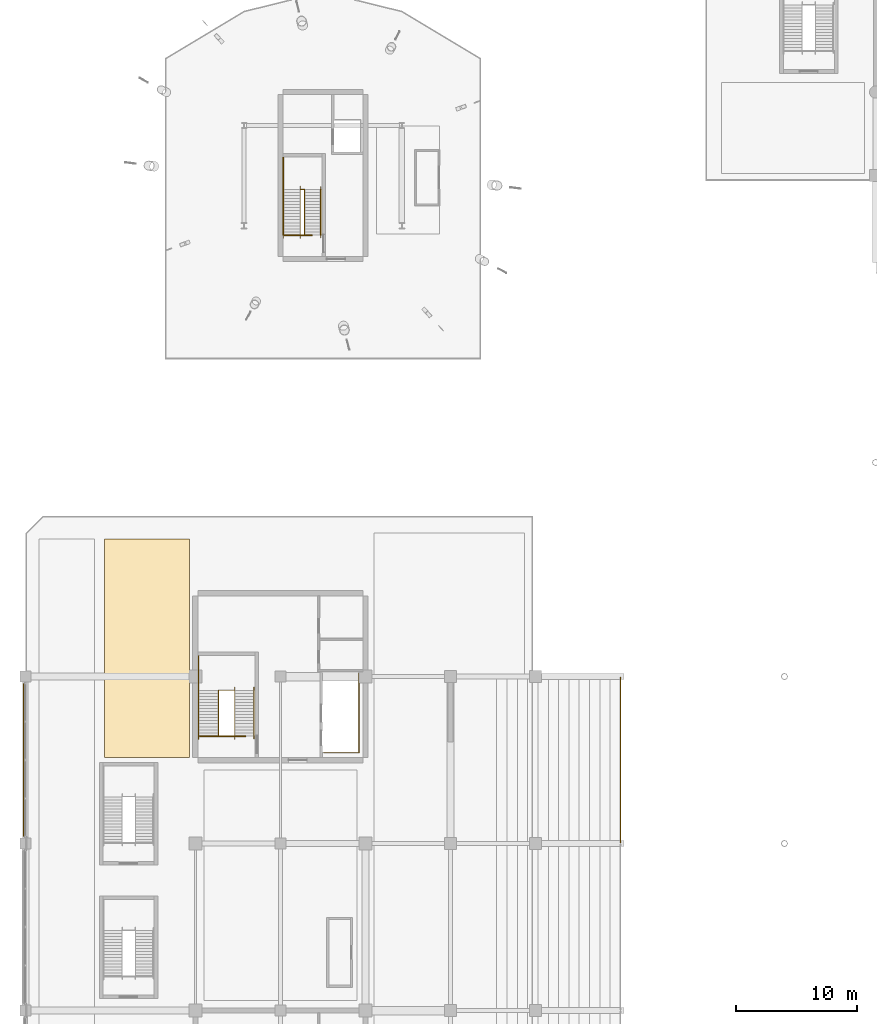
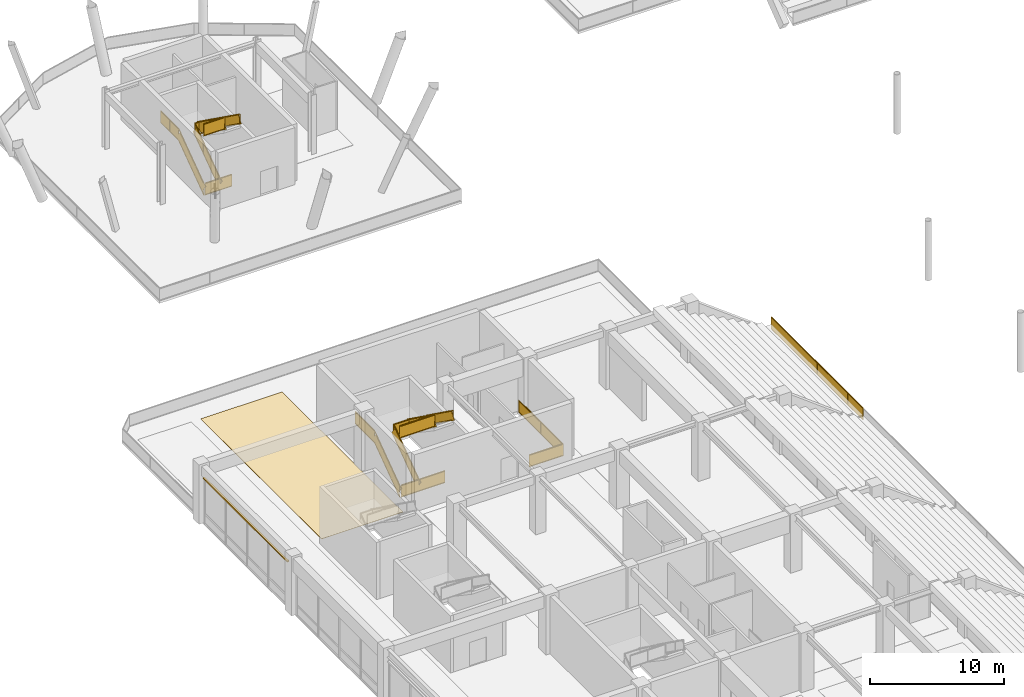
# One storey, part 113 of 117: 10 railings, 1 covering, 1 shading device.
"""IFC4 building model written with IfcOpenShell, lengths in metres."""

from ifc_helpers import new_model, si_unit, direction, frame, origin, origin_2d, place, context, subcontext, project, spatial, polyline, rectangle, outline, extrude, material, layer, layer_set, type_object, element, save


model = new_model("IFC4")

# Units and contexts
model_context = context("Model", 3, precision=1e-05, world=origin(), true_north=direction((0.0, 1.0)))
body_context = subcontext(model_context, "Body", "Model", "MODEL_VIEW")
ifc_project = project(units=[si_unit("LENGTHUNIT", "METRE"), si_unit("AREAUNIT", "SQUARE_METRE"), si_unit("VOLUMEUNIT", "CUBIC_METRE"), si_unit("PLANEANGLEUNIT", "RADIAN"), si_unit("MASSUNIT", "GRAM", prefix="KILO")], contexts=[model_context])

# Site, building, storey
site_placement = place(None, origin())
site = spatial("IfcSite", under=ifc_project, at=site_placement, CompositionType="ELEMENT")
building_placement = place(site_placement, origin())
building = spatial("IfcBuilding", under=site, at=building_placement, Name="Linyun Crest Stadium", CompositionType="ELEMENT")
storey_placement = place(building_placement, frame((0.0, 0.0, 6.0)))
storey = spatial("IfcBuildingStorey", under=building, at=storey_placement, Name="L02", CompositionType="ELEMENT", Elevation=6.0)

# Covering
ifc_material_1 = material(Name="Terrazzo concourse and hospitality floor finish")
ifc_layer_1 = layer(ifc_material_1, 0.02197265625)
ifc_layer_set_1 = layer_set([ifc_layer_1], Name="Terrazzo concourse and hospitality floor finish")
covering_type = type_object("IfcCoveringType", Name="FLR02", PredefinedType="FLOORING", material=ifc_layer_set_1)
covering_placement = place(storey_placement, origin())
element("IfcCovering", 1, at=covering_placement, inside=storey, type_object=covering_type, Name="Terrazzo flooring FLR02 61", PredefinedType="FLOORING", context=body_context, shape_type="SweptSolid", body=[
    extrude(outline(polyline([(-91.5, 36.699951171875), (-84.5, 36.699951171875), (-84.5, 54.699951171875), (-91.5, 54.699951171875), (-91.5, 36.699951171875)])), origin(), (0.0, 0.0, 1.0), 0.02197265625),
])

# Railings
ifc_material_2 = material(Name="Galvanized and powder-coated steel bowl safety barrier", Category="steel")
railing_type_1 = type_object("IfcRailingType", Name="GR02", PredefinedType="GUARDRAIL", material=ifc_material_2)
railing_1_placement = place(storey_placement, frame((-49.0, 29.705078125, 0.199951171875)))
element("IfcRailing", 2, at=railing_1_placement, inside=storey, type_object=railing_type_1, Name="Bowl front safety guard GR02 50", PredefinedType="GUARDRAIL", context=body_context, shape_type="SweptSolid", body=[
    extrude(rectangle(XDim=0.06005859375, YDim=0.06005859375, at=origin_2d()), frame((0.0, 0.0, 1.090087890625), z_axis=(0.0, 1.0, 0.0), x_axis=(-1.0, 0.0, 0.0)), (0.0, 0.0, 1.0), 13.58984375),
    extrude(rectangle(XDim=0.030029296875, YDim=1.0, at=origin_2d()), frame((0.0, 0.0, 0.56005859375), z_axis=(0.0, 1.0, 0.0), x_axis=(-1.0, 0.0, 0.0)), (0.0, 0.0, 1.0), 13.58984375),
    extrude(rectangle(XDim=0.06005859375, YDim=0.06005859375, at=origin_2d()), frame((0.0, 0.0, 0.030029296875), z_axis=(0.0, 1.0, 0.0), x_axis=(-1.0, 0.0, 0.0)), (0.0, 0.0, 1.0), 13.58984375),
    extrude(rectangle(XDim=0.050048828125, YDim=0.050048828125, at=origin_2d()), origin(), (0.0, 0.0, 1.0), 1.1201171875),
    extrude(rectangle(XDim=0.050048828125, YDim=0.050048828125, at=origin_2d()), frame((0.0, 2.264892578125, 0.0)), (0.0, 0.0, 1.0), 1.1201171875),
    extrude(rectangle(XDim=0.050048828125, YDim=0.050048828125, at=origin_2d()), frame((0.0, 4.530029296875, 0.0)), (0.0, 0.0, 1.0), 1.1201171875),
    extrude(rectangle(XDim=0.050048828125, YDim=0.050048828125, at=origin_2d()), frame((0.0, 6.794921875, 0.0)), (0.0, 0.0, 1.0), 1.1201171875),
    extrude(rectangle(XDim=0.050048828125, YDim=0.050048828125, at=origin_2d()), frame((0.0, 9.059814453125, 0.0)), (0.0, 0.0, 1.0), 1.1201171875),
    extrude(rectangle(XDim=0.050048828125, YDim=0.050048828125, at=origin_2d()), frame((0.0, 11.324951171875, 0.0)), (0.0, 0.0, 1.0), 1.1201171875),
    extrude(rectangle(XDim=0.050048828125, YDim=0.050048828125, at=origin_2d()), frame((0.0, 13.58984375, 0.0)), (0.0, 0.0, 1.0), 1.1201171875),
])
railing_2_placement = place(storey_placement, frame((-73.419921875, 37.090087890625, 0.0)))
element("IfcRailing", 3, at=railing_2_placement, inside=storey, type_object=railing_type_1, Name="Slab edge balustrade GR02 32", PredefinedType="GUARDRAIL", context=body_context, shape_type="SweptSolid", body=[
    extrude(rectangle(XDim=0.06005859375, YDim=0.06005859375, at=origin_2d()), frame((0.0, 0.0, 1.090087890625), z_axis=(1.0, 0.0, 0.0), x_axis=(0.0, 1.0, 0.0)), (0.0, 0.0, 1.0), 2.8798828125),
    extrude(rectangle(XDim=0.030029296875, YDim=1.0, at=origin_2d()), frame((0.0, 0.0, 0.56005859375), z_axis=(1.0, 0.0, 0.0), x_axis=(0.0, 1.0, 0.0)), (0.0, 0.0, 1.0), 2.8798828125),
    extrude(rectangle(XDim=0.06005859375, YDim=0.06005859375, at=origin_2d()), frame((0.0, 0.0, 0.030029296875), z_axis=(1.0, 0.0, 0.0), x_axis=(0.0, 1.0, 0.0)), (0.0, 0.0, 1.0), 2.8798828125),
    extrude(rectangle(XDim=0.06005859375, YDim=0.06005859375, at=origin_2d()), frame((2.8798828125, 0.0, 1.090087890625), z_axis=(0.0, 1.0, 0.0), x_axis=(-1.0, 0.0, 0.0)), (0.0, 0.0, 1.0), 6.5498046875),
    extrude(rectangle(XDim=0.030029296875, YDim=1.0, at=origin_2d()), frame((2.8798828125, 0.0, 0.56005859375), z_axis=(0.0, 1.0, 0.0), x_axis=(-1.0, 0.0, 0.0)), (0.0, 0.0, 1.0), 6.5498046875),
    extrude(rectangle(XDim=0.06005859375, YDim=0.06005859375, at=origin_2d()), frame((2.8798828125, 0.0, 0.030029296875), z_axis=(0.0, 1.0, 0.0), x_axis=(-1.0, 0.0, 0.0)), (0.0, 0.0, 1.0), 6.5498046875),
    extrude(rectangle(XDim=0.050048828125, YDim=0.050048828125, at=origin_2d()), origin(), (0.0, 0.0, 1.0), 1.1201171875),
    extrude(rectangle(XDim=0.050048828125, YDim=0.050048828125, at=origin_2d()), frame((2.8798828125, 0.0, 0.0)), (0.0, 0.0, 1.0), 1.1201171875),
    extrude(rectangle(XDim=0.050048828125, YDim=0.050048828125, at=origin_2d()), frame((2.8798828125, 3.27490234375, 0.0)), (0.0, 0.0, 1.0), 1.1201171875),
    extrude(rectangle(XDim=0.050048828125, YDim=0.050048828125, at=origin_2d()), frame((2.8798828125, 6.5498046875, 0.0)), (0.0, 0.0, 1.0), 1.1201171875),
])
railing_3_placement = place(storey_placement, frame((-83.635009765625, 38.4599609375, 0.0)))
element("IfcRailing", 4, at=railing_3_placement, inside=storey, type_object=railing_type_1, Name="Slab edge balustrade GR02 34", PredefinedType="GUARDRAIL", context=body_context, shape_type="SweptSolid", body=[
    extrude(rectangle(XDim=0.06005859375, YDim=0.06005859375, at=origin_2d()), frame((0.0, 0.0, 1.090087890625), z_axis=(1.0, 0.0, 0.0), x_axis=(0.0, 1.0, 0.0)), (0.0, 0.0, 1.0), 3.735107421875),
    extrude(rectangle(XDim=0.030029296875, YDim=1.0, at=origin_2d()), frame((0.0, 0.0, 0.56005859375), z_axis=(1.0, 0.0, 0.0), x_axis=(0.0, 1.0, 0.0)), (0.0, 0.0, 1.0), 3.735107421875),
    extrude(rectangle(XDim=0.06005859375, YDim=0.06005859375, at=origin_2d()), frame((0.0, 0.0, 0.030029296875), z_axis=(1.0, 0.0, 0.0), x_axis=(0.0, 1.0, 0.0)), (0.0, 0.0, 1.0), 3.735107421875),
    extrude(rectangle(XDim=0.050048828125, YDim=0.050048828125, at=origin_2d()), origin(), (0.0, 0.0, 1.0), 1.1201171875),
    extrude(rectangle(XDim=0.050048828125, YDim=0.050048828125, at=origin_2d()), frame((3.735107421875, 0.0, 0.0)), (0.0, 0.0, 1.0), 1.1201171875),
])
railing_4_placement = place(storey_placement, frame((-76.659912109375, 79.7099609375, 0.0)))
element("IfcRailing", 5, at=railing_4_placement, inside=storey, type_object=railing_type_1, Name="Slab edge balustrade GR02 282", PredefinedType="GUARDRAIL", context=body_context, shape_type="SweptSolid", body=[
    extrude(rectangle(XDim=0.06005859375, YDim=0.06005859375, at=origin_2d()), frame((0.0, 0.0, 1.090087890625), z_axis=(1.0, 0.0, 0.0), x_axis=(0.0, 1.0, 0.0)), (0.0, 0.0, 1.0), 2.260009765625),
    extrude(rectangle(XDim=0.030029296875, YDim=1.0, at=origin_2d()), frame((0.0, 0.0, 0.56005859375), z_axis=(1.0, 0.0, 0.0), x_axis=(0.0, 1.0, 0.0)), (0.0, 0.0, 1.0), 2.260009765625),
    extrude(rectangle(XDim=0.06005859375, YDim=0.06005859375, at=origin_2d()), frame((0.0, 0.0, 0.030029296875), z_axis=(1.0, 0.0, 0.0), x_axis=(0.0, 1.0, 0.0)), (0.0, 0.0, 1.0), 2.260009765625),
    extrude(rectangle(XDim=0.050048828125, YDim=0.050048828125, at=origin_2d()), origin(), (0.0, 0.0, 1.0), 1.1201171875),
    extrude(rectangle(XDim=0.050048828125, YDim=0.050048828125, at=origin_2d()), frame((2.260009765625, 0.0, 0.0)), (0.0, 0.0, 1.0), 1.1201171875),
])
ifc_material_3 = material(Name="Painted steel stairwell safety guard", Category="steel")
railing_type_2 = type_object("IfcRailingType", Name="GR03", PredefinedType="GUARDRAIL", material=ifc_material_3)
railing_5_placement = place(storey_placement, frame((-83.7451171875, 38.489990234375, 0.0)))
element("IfcRailing", 6, at=railing_5_placement, inside=storey, type_object=railing_type_2, Name="STR-03-L02 outer guard", PredefinedType="GUARDRAIL", context=body_context, shape_type="SweptSolid", body=[
    extrude(rectangle(XDim=0.06005859375, YDim=0.06005859375, at=origin_2d()), frame((0.0, 0.0, 1.090087890625), z_axis=(0.0, 0.811539352079, 0.584297766578), x_axis=(-1.0, 0.0, 0.0)), (0.0, 0.0, 1.0), 4.620849609375),
    extrude(rectangle(XDim=0.030029296875, YDim=1.0, at=origin_2d()), frame((0.0, 0.0, 0.56005859375), z_axis=(0.0, 0.811539352079, 0.584297766578), x_axis=(-1.0, 0.0, 0.0)), (0.0, 0.0, 1.0), 4.620849609375),
    extrude(rectangle(XDim=0.06005859375, YDim=0.06005859375, at=origin_2d()), frame((0.0, 0.0, 0.030029296875), z_axis=(0.0, 0.811539352079, 0.584297766578), x_axis=(-1.0, 0.0, 0.0)), (0.0, 0.0, 1.0), 4.620849609375),
    extrude(rectangle(XDim=0.06005859375, YDim=0.06005859375, at=origin_2d()), frame((0.0, 3.75, 3.7900390625), z_axis=(0.0, 1.0, 0.0), x_axis=(-1.0, 0.0, 0.0)), (0.0, 0.0, 1.0), 2.830078125),
    extrude(rectangle(XDim=0.030029296875, YDim=1.0, at=origin_2d()), frame((0.0, 3.75, 3.260009765625), z_axis=(0.0, 1.0, 0.0), x_axis=(-1.0, 0.0, 0.0)), (0.0, 0.0, 1.0), 2.830078125),
    extrude(rectangle(XDim=0.06005859375, YDim=0.06005859375, at=origin_2d()), frame((0.0, 3.75, 2.72998046875), z_axis=(0.0, 1.0, 0.0), x_axis=(-1.0, 0.0, 0.0)), (0.0, 0.0, 1.0), 2.830078125),
    extrude(rectangle(XDim=0.050048828125, YDim=0.050048828125, at=origin_2d()), origin(), (0.0, 0.0, 1.0), 1.1201171875),
    extrude(rectangle(XDim=0.050048828125, YDim=0.050048828125, at=origin_2d()), frame((0.0, 1.25, 0.89990234375)), (0.0, 0.0, 1.0), 1.1201171875),
    extrude(rectangle(XDim=0.050048828125, YDim=0.050048828125, at=origin_2d()), frame((0.0, 2.5, 1.800048828125)), (0.0, 0.0, 1.0), 1.1201171875),
    extrude(rectangle(XDim=0.050048828125, YDim=0.050048828125, at=origin_2d()), frame((0.0, 3.75, 2.699951171875)), (0.0, 0.0, 1.0), 1.1201171875),
    extrude(rectangle(XDim=0.050048828125, YDim=0.050048828125, at=origin_2d()), frame((0.0, 5.1650390625, 2.699951171875)), (0.0, 0.0, 1.0), 1.1201171875),
    extrude(rectangle(XDim=0.050048828125, YDim=0.050048828125, at=origin_2d()), frame((0.0, 6.580078125, 2.699951171875)), (0.0, 0.0, 1.0), 1.1201171875),
])
railing_6_placement = place(storey_placement, frame((-82.10498046875, 38.469970703125, 0.0)))
element("IfcRailing", 7, at=railing_6_placement, inside=storey, type_object=railing_type_2, Name="STR-03-L02 inner well guard", PredefinedType="GUARDRAIL", context=body_context, shape_type="SweptSolid", body=[
    extrude(rectangle(XDim=0.06005859375, YDim=0.06005859375, at=origin_2d()), frame((0.0, 0.0, 1.090087890625), z_axis=(0.0, 0.813010693788, 0.582248754216), x_axis=(-1.0, 0.0, 0.0)), (0.0, 0.0, 1.0), 4.63720703125),
    extrude(rectangle(XDim=0.030029296875, YDim=1.0, at=origin_2d()), frame((0.0, 0.0, 0.56005859375), z_axis=(0.0, 0.813010693788, 0.582248754216), x_axis=(-1.0, 0.0, 0.0)), (0.0, 0.0, 1.0), 4.63720703125),
    extrude(rectangle(XDim=0.06005859375, YDim=0.06005859375, at=origin_2d()), frame((0.0, 0.0, 0.030029296875), z_axis=(0.0, 0.813010693788, 0.582248754216), x_axis=(-1.0, 0.0, 0.0)), (0.0, 0.0, 1.0), 4.63720703125),
    extrude(rectangle(XDim=0.06005859375, YDim=0.06005859375, at=origin_2d()), frame((0.0, 3.77001953125, 3.7900390625), z_axis=(1.0, 0.0, 0.0), x_axis=(0.0, 1.0, 0.0)), (0.0, 0.0, 1.0), 1.3349609375),
    extrude(rectangle(XDim=0.030029296875, YDim=1.0, at=origin_2d()), frame((0.0, 3.77001953125, 3.260009765625), z_axis=(1.0, 0.0, 0.0), x_axis=(0.0, 1.0, 0.0)), (0.0, 0.0, 1.0), 1.3349609375),
    extrude(rectangle(XDim=0.06005859375, YDim=0.06005859375, at=origin_2d()), frame((0.0, 3.77001953125, 2.72998046875), z_axis=(1.0, 0.0, 0.0), x_axis=(0.0, 1.0, 0.0)), (0.0, 0.0, 1.0), 1.3349609375),
    extrude(rectangle(XDim=0.06005859375, YDim=0.06005859375, at=origin_2d()), frame((1.3349609375, 3.77001953125, 3.7900390625), z_axis=(0.0, -0.813010693788, 0.582248754216), x_axis=(1.0, 0.0, 0.0)), (0.0, 0.0, 1.0), 4.63720703125),
    extrude(rectangle(XDim=0.030029296875, YDim=1.0, at=origin_2d()), frame((1.3349609375, 3.77001953125, 3.260009765625), z_axis=(0.0, -0.813010693788, 0.582248754216), x_axis=(1.0, 0.0, 0.0)), (0.0, 0.0, 1.0), 4.63720703125),
    extrude(rectangle(XDim=0.06005859375, YDim=0.06005859375, at=origin_2d()), frame((1.3349609375, 3.77001953125, 2.72998046875), z_axis=(0.0, -0.813010693788, 0.582248754216), x_axis=(1.0, 0.0, 0.0)), (0.0, 0.0, 1.0), 4.63720703125),
    extrude(rectangle(XDim=0.06005859375, YDim=0.06005859375, at=origin_2d()), frame((1.3349609375, 0.0, 6.489990234375), z_axis=(-1.0, 0.0, 0.0), x_axis=(0.0, -1.0, 0.0)), (0.0, 0.0, 1.0), 2.98486328125),
    extrude(rectangle(XDim=0.030029296875, YDim=1.0, at=origin_2d()), frame((1.3349609375, 0.0, 5.9599609375), z_axis=(-1.0, 0.0, 0.0), x_axis=(0.0, -1.0, 0.0)), (0.0, 0.0, 1.0), 2.98486328125),
    extrude(rectangle(XDim=0.06005859375, YDim=0.06005859375, at=origin_2d()), frame((1.3349609375, 0.0, 5.429931640625), z_axis=(-1.0, 0.0, 0.0), x_axis=(0.0, -1.0, 0.0)), (0.0, 0.0, 1.0), 2.98486328125),
    extrude(rectangle(XDim=0.050048828125, YDim=0.050048828125, at=origin_2d()), origin(), (0.0, 0.0, 1.0), 1.1201171875),
    extrude(rectangle(XDim=0.050048828125, YDim=0.050048828125, at=origin_2d()), frame((0.0, 1.256591796875, 0.89990234375)), (0.0, 0.0, 1.0), 1.1201171875),
    extrude(rectangle(XDim=0.050048828125, YDim=0.050048828125, at=origin_2d()), frame((0.0, 2.513427734375, 1.800048828125)), (0.0, 0.0, 1.0), 1.1201171875),
    extrude(rectangle(XDim=0.050048828125, YDim=0.050048828125, at=origin_2d()), frame((0.0, 3.77001953125, 2.699951171875)), (0.0, 0.0, 1.0), 1.1201171875),
    extrude(rectangle(XDim=0.050048828125, YDim=0.050048828125, at=origin_2d()), frame((1.3349609375, 3.77001953125, 2.699951171875)), (0.0, 0.0, 1.0), 1.1201171875),
    extrude(rectangle(XDim=0.050048828125, YDim=0.050048828125, at=origin_2d()), frame((1.3349609375, 2.513427734375, 3.599853515625)), (0.0, 0.0, 1.0), 1.1201171875),
    extrude(rectangle(XDim=0.050048828125, YDim=0.050048828125, at=origin_2d()), frame((1.3349609375, 1.256591796875, 4.5)), (0.0, 0.0, 1.0), 1.1201171875),
    extrude(rectangle(XDim=0.050048828125, YDim=0.050048828125, at=origin_2d()), frame((1.3349609375, 0.0, 5.39990234375)), (0.0, 0.0, 1.0), 1.1201171875),
    extrude(rectangle(XDim=0.050048828125, YDim=0.050048828125, at=origin_2d()), frame((-0.157470703125, 0.0, 5.39990234375)), (0.0, 0.0, 1.0), 1.1201171875),
    extrude(rectangle(XDim=0.050048828125, YDim=0.050048828125, at=origin_2d()), frame((-1.64990234375, 0.0, 5.39990234375)), (0.0, 0.0, 1.0), 1.1201171875),
])
railing_7_placement = place(storey_placement, frame((-76.77001953125, 79.739990234375, 0.0)))
element("IfcRailing", 8, at=railing_7_placement, inside=storey, type_object=railing_type_2, Name="STR-11-L02 outer guard", PredefinedType="GUARDRAIL", context=body_context, shape_type="SweptSolid", body=[
    extrude(rectangle(XDim=0.06005859375, YDim=0.06005859375, at=origin_2d()), frame((0.0, 0.0, 1.090087890625), z_axis=(0.0, 0.811539352079, 0.584297766578), x_axis=(-1.0, 0.0, 0.0)), (0.0, 0.0, 1.0), 4.620849609375),
    extrude(rectangle(XDim=0.030029296875, YDim=1.0, at=origin_2d()), frame((0.0, 0.0, 0.56005859375), z_axis=(0.0, 0.811539352079, 0.584297766578), x_axis=(-1.0, 0.0, 0.0)), (0.0, 0.0, 1.0), 4.620849609375),
    extrude(rectangle(XDim=0.06005859375, YDim=0.06005859375, at=origin_2d()), frame((0.0, 0.0, 0.030029296875), z_axis=(0.0, 0.811539352079, 0.584297766578), x_axis=(-1.0, 0.0, 0.0)), (0.0, 0.0, 1.0), 4.620849609375),
    extrude(rectangle(XDim=0.06005859375, YDim=0.06005859375, at=origin_2d()), frame((0.0, 3.75, 3.7900390625), z_axis=(0.0, 1.0, 0.0), x_axis=(-1.0, 0.0, 0.0)), (0.0, 0.0, 1.0), 2.630126953125),
    extrude(rectangle(XDim=0.030029296875, YDim=1.0, at=origin_2d()), frame((0.0, 3.75, 3.260009765625), z_axis=(0.0, 1.0, 0.0), x_axis=(-1.0, 0.0, 0.0)), (0.0, 0.0, 1.0), 2.630126953125),
    extrude(rectangle(XDim=0.06005859375, YDim=0.06005859375, at=origin_2d()), frame((0.0, 3.75, 2.72998046875), z_axis=(0.0, 1.0, 0.0), x_axis=(-1.0, 0.0, 0.0)), (0.0, 0.0, 1.0), 2.630126953125),
    extrude(rectangle(XDim=0.050048828125, YDim=0.050048828125, at=origin_2d()), origin(), (0.0, 0.0, 1.0), 1.1201171875),
    extrude(rectangle(XDim=0.050048828125, YDim=0.050048828125, at=origin_2d()), frame((0.0, 1.25, 0.89990234375)), (0.0, 0.0, 1.0), 1.1201171875),
    extrude(rectangle(XDim=0.050048828125, YDim=0.050048828125, at=origin_2d()), frame((0.0, 2.5, 1.800048828125)), (0.0, 0.0, 1.0), 1.1201171875),
    extrude(rectangle(XDim=0.050048828125, YDim=0.050048828125, at=origin_2d()), frame((0.0, 3.75, 2.699951171875)), (0.0, 0.0, 1.0), 1.1201171875),
    extrude(rectangle(XDim=0.050048828125, YDim=0.050048828125, at=origin_2d()), frame((0.0, 5.06494140625, 2.699951171875)), (0.0, 0.0, 1.0), 1.1201171875),
    extrude(rectangle(XDim=0.050048828125, YDim=0.050048828125, at=origin_2d()), frame((0.0, 6.380126953125, 2.699951171875)), (0.0, 0.0, 1.0), 1.1201171875),
])
railing_8_placement = place(storey_placement, frame((-75.3798828125, 79.719970703125, 0.0)))
element("IfcRailing", 9, at=railing_8_placement, inside=storey, type_object=railing_type_2, Name="STR-11-L02 inner well guard", PredefinedType="GUARDRAIL", context=body_context, shape_type="SweptSolid", body=[
    extrude(rectangle(XDim=0.06005859375, YDim=0.06005859375, at=origin_2d()), frame((0.0, 0.0, 1.090087890625), z_axis=(0.0, 0.813010693788, 0.582248754216), x_axis=(-1.0, 0.0, 0.0)), (0.0, 0.0, 1.0), 4.63720703125),
    extrude(rectangle(XDim=0.030029296875, YDim=1.0, at=origin_2d()), frame((0.0, 0.0, 0.56005859375), z_axis=(0.0, 0.813010693788, 0.582248754216), x_axis=(-1.0, 0.0, 0.0)), (0.0, 0.0, 1.0), 4.63720703125),
    extrude(rectangle(XDim=0.06005859375, YDim=0.06005859375, at=origin_2d()), frame((0.0, 0.0, 0.030029296875), z_axis=(0.0, 0.813010693788, 0.582248754216), x_axis=(-1.0, 0.0, 0.0)), (0.0, 0.0, 1.0), 4.63720703125),
    extrude(rectangle(XDim=0.06005859375, YDim=0.06005859375, at=origin_2d()), frame((0.0, 3.77001953125, 3.7900390625), z_axis=(1.0, 0.0, 0.0), x_axis=(0.0, 1.0, 0.0)), (0.0, 0.0, 1.0), 0.35986328125),
    extrude(rectangle(XDim=0.030029296875, YDim=1.0, at=origin_2d()), frame((0.0, 3.77001953125, 3.260009765625), z_axis=(1.0, 0.0, 0.0), x_axis=(0.0, 1.0, 0.0)), (0.0, 0.0, 1.0), 0.35986328125),
    extrude(rectangle(XDim=0.06005859375, YDim=0.06005859375, at=origin_2d()), frame((0.0, 3.77001953125, 2.72998046875), z_axis=(1.0, 0.0, 0.0), x_axis=(0.0, 1.0, 0.0)), (0.0, 0.0, 1.0), 0.35986328125),
    extrude(rectangle(XDim=0.06005859375, YDim=0.06005859375, at=origin_2d()), frame((0.35986328125, 3.77001953125, 3.7900390625), z_axis=(0.0, -0.813010693788, 0.582248754216), x_axis=(1.0, 0.0, 0.0)), (0.0, 0.0, 1.0), 4.63720703125),
    extrude(rectangle(XDim=0.030029296875, YDim=1.0, at=origin_2d()), frame((0.35986328125, 3.77001953125, 3.260009765625), z_axis=(0.0, -0.813010693788, 0.582248754216), x_axis=(1.0, 0.0, 0.0)), (0.0, 0.0, 1.0), 4.63720703125),
    extrude(rectangle(XDim=0.06005859375, YDim=0.06005859375, at=origin_2d()), frame((0.35986328125, 3.77001953125, 2.72998046875), z_axis=(0.0, -0.813010693788, 0.582248754216), x_axis=(1.0, 0.0, 0.0)), (0.0, 0.0, 1.0), 4.63720703125),
    extrude(rectangle(XDim=0.06005859375, YDim=0.06005859375, at=origin_2d()), frame((0.35986328125, 0.0, 6.489990234375), z_axis=(-1.0, 0.0, 0.0), x_axis=(0.0, -1.0, 0.0)), (0.0, 0.0, 1.0), 1.760009765625),
    extrude(rectangle(XDim=0.030029296875, YDim=1.0, at=origin_2d()), frame((0.35986328125, 0.0, 5.9599609375), z_axis=(-1.0, 0.0, 0.0), x_axis=(0.0, -1.0, 0.0)), (0.0, 0.0, 1.0), 1.760009765625),
    extrude(rectangle(XDim=0.06005859375, YDim=0.06005859375, at=origin_2d()), frame((0.35986328125, 0.0, 5.429931640625), z_axis=(-1.0, 0.0, 0.0), x_axis=(0.0, -1.0, 0.0)), (0.0, 0.0, 1.0), 1.760009765625),
    extrude(rectangle(XDim=0.050048828125, YDim=0.050048828125, at=origin_2d()), origin(), (0.0, 0.0, 1.0), 1.1201171875),
    extrude(rectangle(XDim=0.050048828125, YDim=0.050048828125, at=origin_2d()), frame((0.0, 1.256591796875, 0.89990234375)), (0.0, 0.0, 1.0), 1.1201171875),
    extrude(rectangle(XDim=0.050048828125, YDim=0.050048828125, at=origin_2d()), frame((0.0, 2.513427734375, 1.800048828125)), (0.0, 0.0, 1.0), 1.1201171875),
    extrude(rectangle(XDim=0.050048828125, YDim=0.050048828125, at=origin_2d()), frame((0.0, 3.77001953125, 2.699951171875)), (0.0, 0.0, 1.0), 1.1201171875),
    extrude(rectangle(XDim=0.050048828125, YDim=0.050048828125, at=origin_2d()), frame((0.35986328125, 3.77001953125, 2.699951171875)), (0.0, 0.0, 1.0), 1.1201171875),
    extrude(rectangle(XDim=0.050048828125, YDim=0.050048828125, at=origin_2d()), frame((0.35986328125, 2.513427734375, 3.599853515625)), (0.0, 0.0, 1.0), 1.1201171875),
    extrude(rectangle(XDim=0.050048828125, YDim=0.050048828125, at=origin_2d()), frame((0.35986328125, 1.256591796875, 4.5)), (0.0, 0.0, 1.0), 1.1201171875),
    extrude(rectangle(XDim=0.050048828125, YDim=0.050048828125, at=origin_2d()), frame((0.35986328125, 0.0, 5.39990234375)), (0.0, 0.0, 1.0), 1.1201171875),
    extrude(rectangle(XDim=0.050048828125, YDim=0.050048828125, at=origin_2d()), frame((-1.400146484375, 0.0, 5.39990234375)), (0.0, 0.0, 1.0), 1.1201171875),
])
ifc_material_4 = material(Name="Brushed stainless steel tubular handrail", Category="steel")
railing_type_3 = type_object("IfcRailingType", Name="HR01", PredefinedType="HANDRAIL", material=ifc_material_4)
for number, where, name in (
    (10, (-79.179931640625, 42.239990234375, 2.699951171875), "STR-03-L02 handrail"),
    (11, (-73.679931640625, 83.489990234375, 2.699951171875), "STR-11-L02 handrail"),
):
    element("IfcRailing", number, at=place(storey_placement, frame(where)), inside=storey, type_object=railing_type_3, Name=name, PredefinedType="HANDRAIL", context=body_context, shape_type="SweptSolid", body=[
        extrude(rectangle(XDim=0.06005859375, YDim=0.06005859375, at=origin_2d()), frame((0.0, 0.0, 0.889892578125), z_axis=(0.0, -0.811539352079, 0.584297766578), x_axis=(1.0, 0.0, 0.0)), (0.0, 0.0, 1.0), 4.620849609375),
        extrude(rectangle(XDim=0.030029296875, YDim=0.7998046875, at=origin_2d()), frame((0.0, 0.0, 0.4599609375), z_axis=(0.0, -0.811539352079, 0.584297766578), x_axis=(1.0, 0.0, 0.0)), (0.0, 0.0, 1.0), 4.620849609375),
        extrude(rectangle(XDim=0.06005859375, YDim=0.06005859375, at=origin_2d()), frame((0.0, 0.0, 0.030029296875), z_axis=(0.0, -0.811539352079, 0.584297766578), x_axis=(1.0, 0.0, 0.0)), (0.0, 0.0, 1.0), 4.620849609375),
        extrude(rectangle(XDim=0.050048828125, YDim=0.050048828125, at=origin_2d()), origin(), (0.0, 0.0, 1.0), 0.919921875),
        extrude(rectangle(XDim=0.050048828125, YDim=0.050048828125, at=origin_2d()), frame((0.0, -1.25, 0.89990234375)), (0.0, 0.0, 1.0), 0.919921875),
        extrude(rectangle(XDim=0.050048828125, YDim=0.050048828125, at=origin_2d()), frame((0.0, -2.5, 1.800048828125)), (0.0, 0.0, 1.0), 0.919921875),
        extrude(rectangle(XDim=0.050048828125, YDim=0.050048828125, at=origin_2d()), frame((0.0, -3.75, 2.699951171875)), (0.0, 0.0, 1.0), 0.919921875),
    ])

# Shading device
ifc_material_5 = material(Name="Verdigris painted aluminium sun-louvre screen", Category="aluminium")
ifc_layer_2 = layer(ifc_material_5, 0.080078125)
ifc_layer_set_2 = layer_set([ifc_layer_2], Name="Verdigris painted aluminium sun-louvre screen")
shading_device_type = type_object("IfcShadingDeviceType", Name="SD01", PredefinedType="JALOUSIE", material=ifc_layer_set_2)
shading_device_placement = place(storey_placement, frame((-98.1201171875, 36.5, 4.159912109375), z_axis=(0.0, 0.0, 1.0), x_axis=(1.0, 0.0, 0.0)))
element("IfcShadingDevice", 12, at=shading_device_placement, inside=storey, type_object=shading_device_type, Name="Veranda monsoon louvre SD01 257", PredefinedType="JALOUSIE", context=body_context, shape_type="SweptSolid", body=[
    extrude(rectangle(XDim=0.159912109375, YDim=12.550048828125, at=origin_2d()), origin(), (0.0, 0.0, 1.0), 0.1201171875),
])

save(model, "model.ifc")
